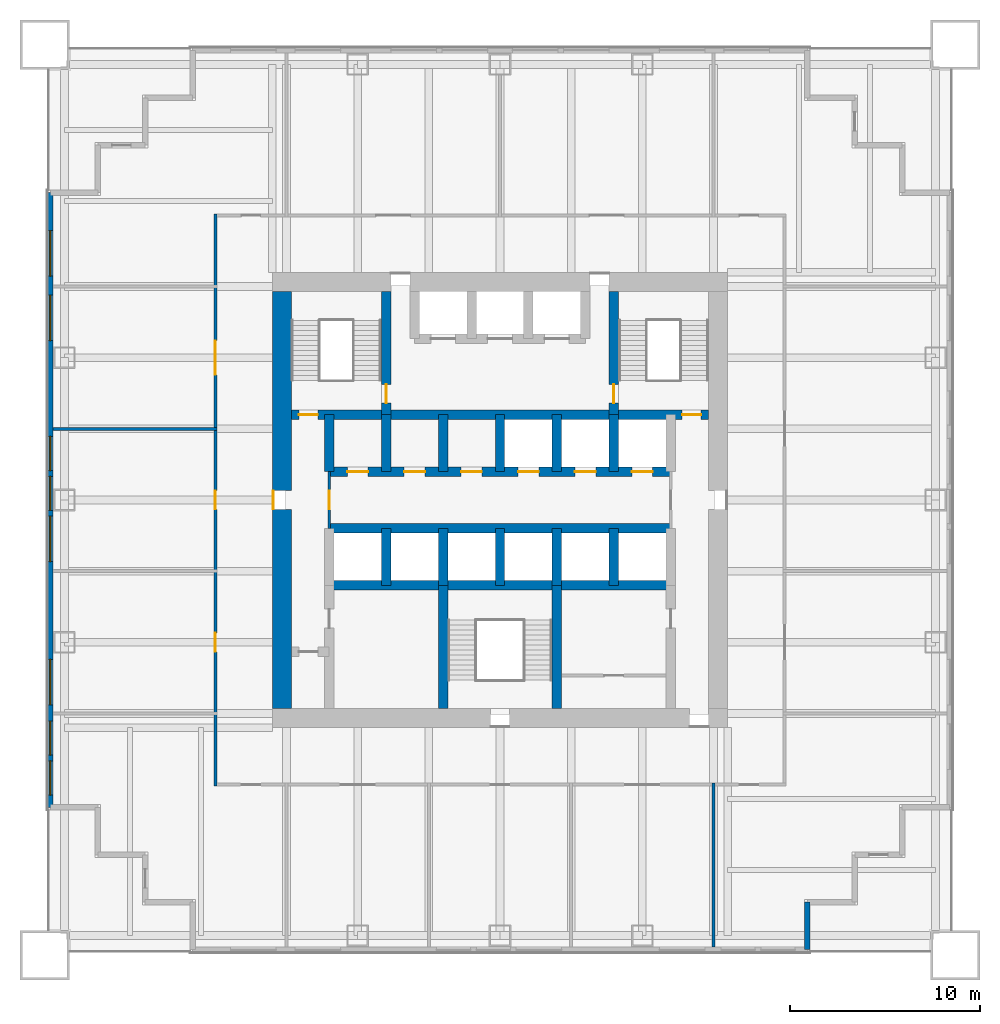
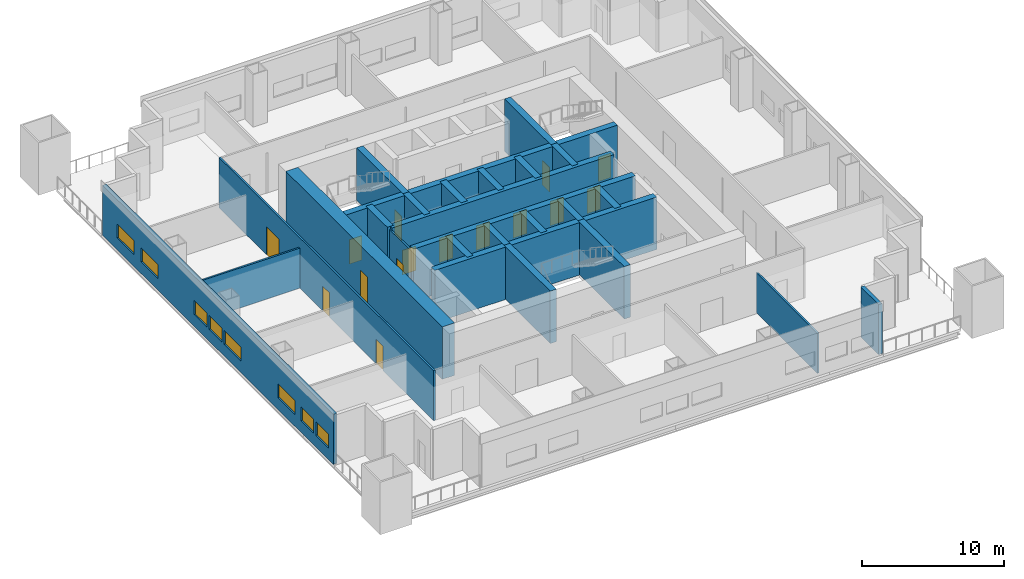
# One storey, part 3 of 7: 26 walls, 15 doors, 8 windows, 23 openings.
"""IFC4 building model written with IfcOpenShell, lengths in metres."""

from ifc_helpers import new_model, si_unit, direction, frame, frame_2d, origin, place, context, subcontext, project, spatial, rectangle, extrude, material, layer, layer_set, type_object, element, fill, save


model = new_model("IFC4")

# Units and contexts
model_context = context("Model", 3, precision=1e-05, world=origin(), true_north=direction((0.0, 1.0)))
body_context = subcontext(model_context, "Body", "Model", "MODEL_VIEW")
ifc_project = project(units=[si_unit("LENGTHUNIT", "METRE"), si_unit("AREAUNIT", "SQUARE_METRE"), si_unit("VOLUMEUNIT", "CUBIC_METRE"), si_unit("PLANEANGLEUNIT", "RADIAN"), si_unit("MASSUNIT", "GRAM", prefix="KILO")], contexts=[model_context])

# Site, building, storey
site_placement = place(None, origin())
site = spatial("IfcSite", under=ifc_project, at=site_placement, CompositionType="ELEMENT")
building_placement = place(site_placement, origin())
building = spatial("IfcBuilding", under=site, at=building_placement, Name="Tarangal Relay Tower", CompositionType="ELEMENT")
storey_placement = place(building_placement, frame((0.0, 0.0, 158.39990234375)))
storey = spatial("IfcBuildingStorey", under=building, at=storey_placement, Name="L32", CompositionType="ELEMENT", Elevation=158.39990234375)

# Wall, openings, doors
ifc_material_1 = material(Name="Concrete fc' 60 MPa", Category="concrete")
ifc_layer_1 = layer(ifc_material_1, 0.5)
ifc_layer_set_1 = layer_set([ifc_layer_1], Name="Core inner wall 500")
wall_type_1 = type_object("IfcWallType", Name="Core inner wall 500", PredefinedType="SHEAR", material=ifc_layer_set_1)
wall_1_placement = place(storey_placement, frame((-11.0, 4.5, 0.0), z_axis=(0.0, 0.0, 1.0), x_axis=(1.0, 0.0, 0.0)))
wall_1 = element("IfcWall", 1, at=wall_1_placement, inside=storey, type_object=wall_type_1, Name="Core wall Y45 L32", PredefinedType="SHEAR", context=body_context, shape_type="SweptSolid", body=[
    extrude(rectangle(XDim=22.0, YDim=0.5, at=frame_2d((11.0, 0.0))), origin(), (0.0, 0.0, 1.0), 4.5),
])
opening_1_placement = place(wall_1_placement, frame((0.39990234375, 0.0, 0.0)))
opening_1 = element("IfcOpeningElement", 2, at=opening_1_placement, cuts=wall_1, Name="Opening FD1", PredefinedType="OPENING", context=body_context, shape_type="SweptSolid", body=[
    extrude(rectangle(XDim=1.0, YDim=2.10009765625, at=frame_2d((0.5, 1.050048828125))), frame((0.0, 0.260009765625, 0.0), z_axis=(0.0, -1.0, 0.0), x_axis=(1.0, 0.0, 0.0)), (0.0, 0.0, 1.0), 0.52001953125),
])
opening_2_placement = place(wall_1_placement, frame((20.60009765625, 0.0, 0.0)))
opening_2 = element("IfcOpeningElement", 3, at=opening_2_placement, cuts=wall_1, Name="Opening FD1", PredefinedType="OPENING", context=body_context, shape_type="SweptSolid", body=[
    extrude(rectangle(XDim=1.0, YDim=2.10009765625, at=frame_2d((0.5, 1.050048828125))), frame((0.0, 0.260009765625, 0.0), z_axis=(0.0, -1.0, 0.0), x_axis=(1.0, 0.0, 0.0)), (0.0, 0.0, 1.0), 0.52001953125),
])
ifc_material_2 = material(Name="Steel door with hardwood frame", Category="steel")
door_type_1 = type_object("IfcDoorType", Name="Fire door 1000 x 2100", OperationType="SINGLE_SWING_LEFT", PredefinedType="DOOR", material=ifc_material_2)
door_1_placement = place(opening_1_placement, origin())
door_1 = element("IfcDoor", 4, at=door_1_placement, inside=storey, type_object=door_type_1, Name="Stair ST-A door from corridor L32", OperationType="SINGLE_SWING_LEFT", OverallHeight=2.10009765625, OverallWidth=1.0, PredefinedType="DOOR", context=body_context, shape_type="SweptSolid", body=[
    extrude(rectangle(XDim=1.0, YDim=2.10009765625, at=frame_2d((0.5, 1.050048828125))), frame((0.0, 0.02490234375, 0.0), z_axis=(0.0, -1.0, 0.0), x_axis=(1.0, 0.0, 0.0)), (0.0, 0.0, 1.0), 0.050048828125),
])
fill(opening_1, door_1)
door_2_placement = place(opening_2_placement, origin())
door_2 = element("IfcDoor", 5, at=door_2_placement, inside=storey, type_object=door_type_1, Name="Stair ST-B door from corridor L32", OperationType="SINGLE_SWING_LEFT", OverallHeight=2.10009765625, OverallWidth=1.0, PredefinedType="DOOR", context=body_context, shape_type="SweptSolid", body=[
    extrude(rectangle(XDim=1.0, YDim=2.10009765625, at=frame_2d((0.5, 1.050048828125))), frame((0.0, 0.02490234375, 0.0), z_axis=(0.0, -1.0, 0.0), x_axis=(1.0, 0.0, 0.0)), (0.0, 0.0, 1.0), 0.050048828125),
])
fill(opening_2, door_2)

wall_2_placement = place(storey_placement, frame((-9.0, 1.5, 0.0), z_axis=(0.0, 0.0, 1.0), x_axis=(1.0, 0.0, 0.0)))
wall_2 = element("IfcWall", 6, at=wall_2_placement, inside=storey, type_object=wall_type_1, Name="Core wall Y15 L32", PredefinedType="SHEAR", context=body_context, shape_type="SweptSolid", body=[
    extrude(rectangle(XDim=18.0, YDim=0.5, at=frame_2d((9.0, 0.0))), origin(), (0.0, 0.0, 1.0), 4.5),
])
opening_3_placement = place(wall_2_placement, frame((9.949951171875, 0.0, 0.0)))
opening_3 = element("IfcOpeningElement", 7, at=opening_3_placement, cuts=wall_2, Name="Opening LD1", PredefinedType="OPENING", context=body_context, shape_type="SweptSolid", body=[
    extrude(rectangle(XDim=1.10009765625, YDim=2.10009765625, at=frame_2d((0.550048828125, 1.050048828125))), frame((0.0, 0.260009765625, 0.0), z_axis=(0.0, -1.0, 0.0), x_axis=(1.0, 0.0, 0.0)), (0.0, 0.0, 1.0), 0.52001953125),
])
opening_4_placement = place(wall_2_placement, frame((12.949951171875, 0.0, 0.0)))
opening_4 = element("IfcOpeningElement", 8, at=opening_4_placement, cuts=wall_2, Name="Opening LD1", PredefinedType="OPENING", context=body_context, shape_type="SweptSolid", body=[
    extrude(rectangle(XDim=1.10009765625, YDim=2.10009765625, at=frame_2d((0.550048828125, 1.050048828125))), frame((0.0, 0.260009765625, 0.0), z_axis=(0.0, -1.0, 0.0), x_axis=(1.0, 0.0, 0.0)), (0.0, 0.0, 1.0), 0.52001953125),
])
opening_5_placement = place(wall_2_placement, frame((15.949951171875, 0.0, 0.0)))
opening_5 = element("IfcOpeningElement", 9, at=opening_5_placement, cuts=wall_2, Name="Opening LD1", PredefinedType="OPENING", context=body_context, shape_type="SweptSolid", body=[
    extrude(rectangle(XDim=1.10009765625, YDim=2.10009765625, at=frame_2d((0.550048828125, 1.050048828125))), frame((0.0, 0.260009765625, 0.0), z_axis=(0.0, -1.0, 0.0), x_axis=(1.0, 0.0, 0.0)), (0.0, 0.0, 1.0), 0.52001953125),
])
opening_6_placement = place(wall_2_placement, frame((0.949951171875, 0.0, 0.0)))
opening_6 = element("IfcOpeningElement", 10, at=opening_6_placement, cuts=wall_2, Name="Opening D4", PredefinedType="OPENING", context=body_context, shape_type="SweptSolid", body=[
    extrude(rectangle(XDim=1.10009765625, YDim=2.10009765625, at=frame_2d((0.550048828125, 1.050048828125))), frame((0.0, 0.260009765625, 0.0), z_axis=(0.0, -1.0, 0.0), x_axis=(1.0, 0.0, 0.0)), (0.0, 0.0, 1.0), 0.52001953125),
])
opening_7_placement = place(wall_2_placement, frame((3.949951171875, 0.0, 0.0)))
opening_7 = element("IfcOpeningElement", 11, at=opening_7_placement, cuts=wall_2, Name="Opening D4", PredefinedType="OPENING", context=body_context, shape_type="SweptSolid", body=[
    extrude(rectangle(XDim=1.10009765625, YDim=2.10009765625, at=frame_2d((0.550048828125, 1.050048828125))), frame((0.0, 0.260009765625, 0.0), z_axis=(0.0, -1.0, 0.0), x_axis=(1.0, 0.0, 0.0)), (0.0, 0.0, 1.0), 0.52001953125),
])
opening_8_placement = place(wall_2_placement, frame((6.949951171875, 0.0, 0.0)))
opening_8 = element("IfcOpeningElement", 12, at=opening_8_placement, cuts=wall_2, Name="Opening D4", PredefinedType="OPENING", context=body_context, shape_type="SweptSolid", body=[
    extrude(rectangle(XDim=1.10009765625, YDim=2.10009765625, at=frame_2d((0.550048828125, 1.050048828125))), frame((0.0, 0.260009765625, 0.0), z_axis=(0.0, -1.0, 0.0), x_axis=(1.0, 0.0, 0.0)), (0.0, 0.0, 1.0), 0.52001953125),
])
door_type_2 = type_object("IfcDoorType", Name="Core room door 1100 x 2100", OperationType="SINGLE_SWING_RIGHT", PredefinedType="DOOR", material=ifc_material_2)
door_3_placement = place(opening_6_placement, origin())
door_3 = element("IfcDoor", 13, at=door_3_placement, inside=storey, type_object=door_type_2, Name="Door D4 to back-of-house plant room L32-D1", OperationType="SINGLE_SWING_RIGHT", OverallHeight=2.10009765625, OverallWidth=1.10009765625, PredefinedType="DOOR", context=body_context, shape_type="SweptSolid", body=[
    extrude(rectangle(XDim=1.10009765625, YDim=2.10009765625, at=frame_2d((0.550048828125, 1.050048828125))), frame((0.0, 0.02490234375, 0.0), z_axis=(0.0, -1.0, 0.0), x_axis=(1.0, 0.0, 0.0)), (0.0, 0.0, 1.0), 0.050048828125),
])
fill(opening_6, door_3)
door_4_placement = place(opening_7_placement, origin())
door_4 = element("IfcDoor", 14, at=door_4_placement, inside=storey, type_object=door_type_2, Name="Door D4 to staff pantry L32-D2", OperationType="SINGLE_SWING_RIGHT", OverallHeight=2.10009765625, OverallWidth=1.10009765625, PredefinedType="DOOR", context=body_context, shape_type="SweptSolid", body=[
    extrude(rectangle(XDim=1.10009765625, YDim=2.10009765625, at=frame_2d((0.550048828125, 1.050048828125))), frame((0.0, 0.02490234375, 0.0), z_axis=(0.0, -1.0, 0.0), x_axis=(1.0, 0.0, 0.0)), (0.0, 0.0, 1.0), 0.050048828125),
])
fill(opening_7, door_4)
door_5_placement = place(opening_8_placement, origin())
door_5 = element("IfcDoor", 15, at=door_5_placement, inside=storey, type_object=door_type_2, Name="Door D4 to staff wc L32-D3", OperationType="SINGLE_SWING_RIGHT", OverallHeight=2.10009765625, OverallWidth=1.10009765625, PredefinedType="DOOR", context=body_context, shape_type="SweptSolid", body=[
    extrude(rectangle(XDim=1.10009765625, YDim=2.10009765625, at=frame_2d((0.550048828125, 1.050048828125))), frame((0.0, 0.02490234375, 0.0), z_axis=(0.0, -1.0, 0.0), x_axis=(1.0, 0.0, 0.0)), (0.0, 0.0, 1.0), 0.050048828125),
])
fill(opening_8, door_5)
door_type_3 = type_object("IfcDoorType", Name="Lift landing door 1100 x 2100", OperationType="SLIDING_TO_LEFT", PredefinedType="DOOR", material=ifc_material_2)
door_6_placement = place(opening_3_placement, origin())
door_6 = element("IfcDoor", 16, at=door_6_placement, inside=storey, type_object=door_type_3, Name="Lift T1 landing door L32", OperationType="SLIDING_TO_LEFT", OverallHeight=2.10009765625, OverallWidth=1.10009765625, PredefinedType="DOOR", context=body_context, shape_type="SweptSolid", body=[
    extrude(rectangle(XDim=1.10009765625, YDim=2.10009765625, at=frame_2d((0.550048828125, 1.050048828125))), frame((0.0, 0.02490234375, 0.0), z_axis=(0.0, -1.0, 0.0), x_axis=(1.0, 0.0, 0.0)), (0.0, 0.0, 1.0), 0.050048828125),
])
fill(opening_3, door_6)
door_7_placement = place(opening_4_placement, origin())
door_7 = element("IfcDoor", 17, at=door_7_placement, inside=storey, type_object=door_type_3, Name="Lift T2 landing door L32", OperationType="SLIDING_TO_LEFT", OverallHeight=2.10009765625, OverallWidth=1.10009765625, PredefinedType="DOOR", context=body_context, shape_type="SweptSolid", body=[
    extrude(rectangle(XDim=1.10009765625, YDim=2.10009765625, at=frame_2d((0.550048828125, 1.050048828125))), frame((0.0, 0.02490234375, 0.0), z_axis=(0.0, -1.0, 0.0), x_axis=(1.0, 0.0, 0.0)), (0.0, 0.0, 1.0), 0.050048828125),
])
fill(opening_4, door_7)
door_8_placement = place(opening_5_placement, origin())
door_8 = element("IfcDoor", 18, at=door_8_placement, inside=storey, type_object=door_type_3, Name="Lift T3 landing door L32", OperationType="SLIDING_TO_LEFT", OverallHeight=2.10009765625, OverallWidth=1.10009765625, PredefinedType="DOOR", context=body_context, shape_type="SweptSolid", body=[
    extrude(rectangle(XDim=1.10009765625, YDim=2.10009765625, at=frame_2d((0.550048828125, 1.050048828125))), frame((0.0, 0.02490234375, 0.0), z_axis=(0.0, -1.0, 0.0), x_axis=(1.0, 0.0, 0.0)), (0.0, 0.0, 1.0), 0.050048828125),
])
fill(opening_5, door_8)

# Walls
for number, where, z_axis, x_axis, name in (
    (19, (-9.0, -1.5, 0.0), (0.0, 0.0, 1.0), (1.0, 0.0, 0.0), "Core wall YM15 L32"),
    (20, (-9.0, -4.5, 0.0), (0.0, 0.0, 1.0), (1.0, 0.0, 0.0), "Core wall YM45 L32"),
):
    element("IfcWall", number, at=place(storey_placement, frame(where, z_axis=z_axis, x_axis=x_axis)), inside=storey, type_object=wall_type_1, Name=name, PredefinedType="SHEAR", context=body_context, shape_type="SweptSolid", body=[
        extrude(rectangle(XDim=18.0, YDim=0.5, at=frame_2d((9.0, 0.0))), origin(), (0.0, 0.0, 1.0), 4.5),
    ])
for number, where, z_axis, x_axis, name in (
    (21, (-9.0, 1.5, 0.0), (0.0, 0.0, 1.0), (0.0, 1.0, 0.0), "Core wall XM9N L32"),
    (22, (-6.0, 1.5, 0.0), (0.0, 0.0, 1.0), (0.0, 1.0, 0.0), "Core wall XM6N L32"),
    (23, (-3.0, 1.5, 0.0), (0.0, 0.0, 1.0), (0.0, 1.0, 0.0), "Core wall XM3N L32"),
    (24, (0.0, 1.5, 0.0), (0.0, 0.0, 1.0), (0.0, 1.0, 0.0), "Core wall X0N L32"),
    (25, (3.0, 1.5, 0.0), (0.0, 0.0, 1.0), (0.0, 1.0, 0.0), "Core wall X3N L32"),
    (26, (6.0, 1.5, 0.0), (0.0, 0.0, 1.0), (0.0, 1.0, 0.0), "Core wall X6N L32"),
    (27, (-6.0, -4.5, 0.0), (0.0, 0.0, 1.0), (0.0, 1.0, 0.0), "Core wall XM6S L32"),
    (28, (-3.0, -4.5, 0.0), (0.0, 0.0, 1.0), (0.0, 1.0, 0.0), "Core wall XM3S L32"),
    (29, (0.0, -4.5, 0.0), (0.0, 0.0, 1.0), (0.0, 1.0, 0.0), "Core wall X0S L32"),
    (30, (3.0, -4.5, 0.0), (0.0, 0.0, 1.0), (0.0, 1.0, 0.0), "Core wall X3S L32"),
    (31, (6.0, -4.5, 0.0), (0.0, 0.0, 1.0), (0.0, 1.0, 0.0), "Core wall X6S L32"),
):
    element("IfcWall", number, at=place(storey_placement, frame(where, z_axis=z_axis, x_axis=x_axis)), inside=storey, type_object=wall_type_1, Name=name, PredefinedType="SHEAR", context=body_context, shape_type="SweptSolid", body=[
        extrude(rectangle(XDim=3.0, YDim=0.5, at=frame_2d((1.5, 0.0))), origin(), (0.0, 0.0, 1.0), 4.5),
    ])

# Wall, opening, door
wall_3_placement = place(storey_placement, frame((-6.0, 4.5, 0.0), z_axis=(0.0, 0.0, 1.0), x_axis=(0.0, 1.0, 0.0)))
wall_3 = element("IfcWall", 32, at=wall_3_placement, inside=storey, type_object=wall_type_1, Name="Core wall XM6 L32", PredefinedType="SHEAR", context=body_context, shape_type="SweptSolid", body=[
    extrude(rectangle(XDim=6.5, YDim=0.5, at=frame_2d((3.25, 0.0))), origin(), (0.0, 0.0, 1.0), 4.5),
])
opening_9_placement = place(wall_3_placement, frame((0.60009765625, 0.0, 0.0)))
opening_9 = element("IfcOpeningElement", 33, at=opening_9_placement, cuts=wall_3, Name="Opening FD1", PredefinedType="OPENING", context=body_context, shape_type="SweptSolid", body=[
    extrude(rectangle(XDim=1.0, YDim=2.10009765625, at=frame_2d((0.5, 1.050048828125))), frame((0.0, 0.260009765625, 0.0), z_axis=(0.0, -1.0, 0.0), x_axis=(1.0, 0.0, 0.0)), (0.0, 0.0, 1.0), 0.52001953125),
])
door_9_placement = place(opening_9_placement, origin())
door_9 = element("IfcDoor", 34, at=door_9_placement, inside=storey, type_object=door_type_1, Name="Stair ST-A door from fire-fighting lobby L32", OperationType="SINGLE_SWING_LEFT", OverallHeight=2.10009765625, OverallWidth=1.0, PredefinedType="DOOR", context=body_context, shape_type="SweptSolid", body=[
    extrude(rectangle(XDim=1.0, YDim=2.10009765625, at=frame_2d((0.5, 1.050048828125))), frame((0.0, 0.02490234375, 0.0), z_axis=(0.0, -1.0, 0.0), x_axis=(1.0, 0.0, 0.0)), (0.0, 0.0, 1.0), 0.050048828125),
])
fill(opening_9, door_9)

wall_4_placement = place(storey_placement, frame((6.0, 4.5, 0.0), z_axis=(0.0, 0.0, 1.0), x_axis=(0.0, 1.0, 0.0)))
wall_4 = element("IfcWall", 35, at=wall_4_placement, inside=storey, type_object=wall_type_1, Name="Core wall X6 L32", PredefinedType="SHEAR", context=body_context, shape_type="SweptSolid", body=[
    extrude(rectangle(XDim=6.5, YDim=0.5, at=frame_2d((3.25, 0.0))), origin(), (0.0, 0.0, 1.0), 4.5),
])
opening_10_placement = place(wall_4_placement, frame((0.60009765625, 0.0, 0.0)))
opening_10 = element("IfcOpeningElement", 36, at=opening_10_placement, cuts=wall_4, Name="Opening FD1", PredefinedType="OPENING", context=body_context, shape_type="SweptSolid", body=[
    extrude(rectangle(XDim=1.0, YDim=2.10009765625, at=frame_2d((0.5, 1.050048828125))), frame((0.0, 0.260009765625, 0.0), z_axis=(0.0, -1.0, 0.0), x_axis=(1.0, 0.0, 0.0)), (0.0, 0.0, 1.0), 0.52001953125),
])
door_10_placement = place(opening_10_placement, origin())
door_10 = element("IfcDoor", 37, at=door_10_placement, inside=storey, type_object=door_type_1, Name="Stair ST-B door from fire-fighting lobby L32", OperationType="SINGLE_SWING_LEFT", OverallHeight=2.10009765625, OverallWidth=1.0, PredefinedType="DOOR", context=body_context, shape_type="SweptSolid", body=[
    extrude(rectangle(XDim=1.0, YDim=2.10009765625, at=frame_2d((0.5, 1.050048828125))), frame((0.0, 0.02490234375, 0.0), z_axis=(0.0, -1.0, 0.0), x_axis=(1.0, 0.0, 0.0)), (0.0, 0.0, 1.0), 0.050048828125),
])
fill(opening_10, door_10)

# Walls
for number, where, z_axis, x_axis, name in (
    (38, (-3.0, -11.0, 0.0), (0.0, 0.0, 1.0), (0.0, 1.0, 0.0), "Core wall XM3W L32"),
    (39, (3.0, -11.0, 0.0), (0.0, 0.0, 1.0), (0.0, 1.0, 0.0), "Core wall X3W L32"),
):
    element("IfcWall", number, at=place(storey_placement, frame(where, z_axis=z_axis, x_axis=x_axis)), inside=storey, type_object=wall_type_1, Name=name, PredefinedType="SHEAR", context=body_context, shape_type="SweptSolid", body=[
        extrude(rectangle(XDim=6.5, YDim=0.5, at=frame_2d((3.25, 0.0))), origin(), (0.0, 0.0, 1.0), 4.5),
    ])

# Wall, opening, door
ifc_layer_2 = layer(ifc_material_1, 1.0)
ifc_layer_set_2 = layer_set([ifc_layer_2], Name="Core wall 1000")
wall_type_2 = type_object("IfcWallType", Name="Core wall 1000", PredefinedType="SHEAR", material=ifc_layer_set_2)
wall_5_placement = place(storey_placement, frame((-11.5, -11.0, 0.0), z_axis=(0.0, 0.0, 1.0), x_axis=(0.0, 1.0, 0.0)))
wall_5 = element("IfcWall", 40, at=wall_5_placement, inside=storey, type_object=wall_type_2, Name="Core wall W L32", PredefinedType="SHEAR", context=body_context, shape_type="SweptSolid", body=[
    extrude(rectangle(XDim=22.0, YDim=1.0, at=frame_2d((11.0, 0.0))), origin(), (0.0, 0.0, 1.0), 4.5),
])
opening_11_placement = place(wall_5_placement, frame((10.5, 0.0, 0.0)))
opening_11 = element("IfcOpeningElement", 41, at=opening_11_placement, cuts=wall_5, Name="Opening FD3", PredefinedType="OPENING", context=body_context, shape_type="SweptSolid", body=[
    extrude(rectangle(XDim=1.0, YDim=2.39990234375, at=frame_2d((0.5, 1.199951171875))), frame((0.0, 0.510009765625, 0.0), z_axis=(0.0, -1.0, 0.0), x_axis=(1.0, 0.0, 0.0)), (0.0, 0.0, 1.0), 1.02001953125),
])
door_type_4 = type_object("IfcDoorType", Name="Fire door 1000 x 2400 core entry", OperationType="SINGLE_SWING_RIGHT", PredefinedType="DOOR", material=ifc_material_2)
door_11_placement = place(opening_11_placement, origin())
door_11 = element("IfcDoor", 42, at=door_11_placement, inside=storey, type_object=door_type_4, Name="Core entry door west L32", OperationType="SINGLE_SWING_RIGHT", OverallHeight=2.39990234375, OverallWidth=1.0, PredefinedType="DOOR", context=body_context, shape_type="SweptSolid", body=[
    extrude(rectangle(XDim=1.0, YDim=2.39990234375, at=frame_2d((0.5, 1.199951171875))), frame((0.0, 0.48486328125, 0.0), z_axis=(0.0, -1.0, 0.0), x_axis=(1.0, 0.0, 0.0)), (0.0, 0.0, 1.0), 0.050048828125),
])
fill(opening_11, door_11)

# Wall
ifc_material_3 = material(Name="Insulated precast concrete fc' 40 MPa", Category="concrete")
ifc_layer_3 = layer(ifc_material_3, 0.300048828125)
ifc_layer_set_3 = layer_set([ifc_layer_3], Name="Insulated precast concrete fc' 40 MPa")
wall_type_3 = type_object("IfcWallType", Name="Facade wall precast 300", PredefinedType="SOLIDWALL", material=ifc_layer_set_3)
wall_6_placement = place(storey_placement, frame((16.199951171875, -21.199951171875, 0.0), z_axis=(0.0, 0.0, 1.0), x_axis=(0.0, -1.0, 0.0)))
element("IfcWall", 43, at=wall_6_placement, inside=storey, type_object=wall_type_3, Name="Facade wall E facade L32", PredefinedType="SOLIDWALL", context=body_context, shape_type="SweptSolid", body=[
    extrude(rectangle(XDim=2.5, YDim=0.300048828125, at=frame_2d((1.25, 0.0))), origin(), (0.0, 0.0, 1.0), 4.300048828125),
])

# Wall, openings, windows
wall_7_placement = place(storey_placement, frame((-23.699951171875, -16.199951171875, 0.0), z_axis=(0.0, 0.0, 1.0), x_axis=(0.0, 1.0, 0.0)))
wall_7 = element("IfcWall", 44, at=wall_7_placement, inside=storey, type_object=wall_type_3, Name="Facade wall W facade L32", PredefinedType="SOLIDWALL", context=body_context, shape_type="SweptSolid", body=[
    extrude(rectangle(XDim=32.39990234375, YDim=0.300048828125, at=frame_2d((16.199951171875, 0.0))), origin(), (0.0, 0.0, 1.0), 4.300048828125),
])
opening_12_placement = place(wall_7_placement, frame((0.64990234375, 0.0, 1.0)))
opening_12 = element("IfcOpeningElement", 45, at=opening_12_placement, cuts=wall_7, Name="Opening WN5", PredefinedType="OPENING", context=body_context, shape_type="SweptSolid", body=[
    extrude(rectangle(XDim=1.800048828125, YDim=1.199951171875, at=frame_2d((0.89990234375, 0.60009765625))), frame((0.0, 0.159912109375, 0.0), z_axis=(0.0, -1.0, 0.0), x_axis=(1.0, 0.0, 0.0)), (0.0, 0.0, 1.0), 0.320068359375),
])
opening_13_placement = place(wall_7_placement, frame((2.75, 0.0, 1.0)))
opening_13 = element("IfcOpeningElement", 46, at=opening_13_placement, cuts=wall_7, Name="Opening WN5", PredefinedType="OPENING", context=body_context, shape_type="SweptSolid", body=[
    extrude(rectangle(XDim=1.800048828125, YDim=1.199951171875, at=frame_2d((0.89990234375, 0.60009765625))), frame((0.0, 0.159912109375, 0.0), z_axis=(0.0, -1.0, 0.0), x_axis=(1.0, 0.0, 0.0)), (0.0, 0.0, 1.0), 0.320068359375),
])
opening_14_placement = place(wall_7_placement, frame((5.39990234375, 0.0, 1.0)))
opening_14 = element("IfcOpeningElement", 47, at=opening_14_placement, cuts=wall_7, Name="Opening WN1", PredefinedType="OPENING", context=body_context, shape_type="SweptSolid", body=[
    extrude(rectangle(XDim=2.39990234375, YDim=1.199951171875, at=frame_2d((1.199951171875, 0.60009765625))), frame((0.0, 0.159912109375, 0.0), z_axis=(0.0, -1.0, 0.0), x_axis=(1.0, 0.0, 0.0)), (0.0, 0.0, 1.0), 0.320068359375),
])
opening_15_placement = place(wall_7_placement, frame((12.949951171875, 0.0, 1.0)))
opening_15 = element("IfcOpeningElement", 48, at=opening_15_placement, cuts=wall_7, Name="Opening WN1", PredefinedType="OPENING", context=body_context, shape_type="SweptSolid", body=[
    extrude(rectangle(XDim=2.39990234375, YDim=1.199951171875, at=frame_2d((1.199951171875, 0.60009765625))), frame((0.0, 0.159912109375, 0.0), z_axis=(0.0, -1.0, 0.0), x_axis=(1.0, 0.0, 0.0)), (0.0, 0.0, 1.0), 0.320068359375),
])
opening_16_placement = place(wall_7_placement, frame((15.64990234375, 0.0, 1.0)))
opening_16 = element("IfcOpeningElement", 49, at=opening_16_placement, cuts=wall_7, Name="Opening WN5", PredefinedType="OPENING", context=body_context, shape_type="SweptSolid", body=[
    extrude(rectangle(XDim=1.800048828125, YDim=1.199951171875, at=frame_2d((0.89990234375, 0.60009765625))), frame((0.0, 0.159912109375, 0.0), z_axis=(0.0, -1.0, 0.0), x_axis=(1.0, 0.0, 0.0)), (0.0, 0.0, 1.0), 0.320068359375),
])
opening_17_placement = place(wall_7_placement, frame((17.75, 0.0, 1.0)))
opening_17 = element("IfcOpeningElement", 50, at=opening_17_placement, cuts=wall_7, Name="Opening WN5", PredefinedType="OPENING", context=body_context, shape_type="SweptSolid", body=[
    extrude(rectangle(XDim=1.800048828125, YDim=1.199951171875, at=frame_2d((0.89990234375, 0.60009765625))), frame((0.0, 0.159912109375, 0.0), z_axis=(0.0, -1.0, 0.0), x_axis=(1.0, 0.0, 0.0)), (0.0, 0.0, 1.0), 0.320068359375),
])
opening_18_placement = place(wall_7_placement, frame((24.60009765625, 0.0, 1.0)))
opening_18 = element("IfcOpeningElement", 51, at=opening_18_placement, cuts=wall_7, Name="Opening WN1", PredefinedType="OPENING", context=body_context, shape_type="SweptSolid", body=[
    extrude(rectangle(XDim=2.39990234375, YDim=1.199951171875, at=frame_2d((1.199951171875, 0.60009765625))), frame((0.0, 0.159912109375, 0.0), z_axis=(0.0, -1.0, 0.0), x_axis=(1.0, 0.0, 0.0)), (0.0, 0.0, 1.0), 0.320068359375),
])
opening_19_placement = place(wall_7_placement, frame((28.0, 0.0, 1.0)))
opening_19 = element("IfcOpeningElement", 52, at=opening_19_placement, cuts=wall_7, Name="Opening WN1", PredefinedType="OPENING", context=body_context, shape_type="SweptSolid", body=[
    extrude(rectangle(XDim=2.39990234375, YDim=1.199951171875, at=frame_2d((1.199951171875, 0.60009765625))), frame((0.0, 0.159912109375, 0.0), z_axis=(0.0, -1.0, 0.0), x_axis=(1.0, 0.0, 0.0)), (0.0, 0.0, 1.0), 0.320068359375),
])
ifc_material_4 = material(Name="Dark tinted double glazing in black aluminium frame", Category="aluminium")
window_type_1 = type_object("IfcWindowType", Name="Ribbon window 1800 x 1200", PartitioningType="SINGLE_PANEL", PredefinedType="WINDOW", material=ifc_material_4)
window_1_placement = place(opening_12_placement, origin())
window_1 = element("IfcWindow", 53, at=window_1_placement, inside=storey, type_object=window_type_1, Name="Ribbon window WN5 W facade L32", OverallHeight=1.199951171875, OverallWidth=1.800048828125, PartitioningType="SINGLE_PANEL", PredefinedType="WINDOW", context=body_context, shape_type="SweptSolid", body=[
    extrude(rectangle(XDim=1.800048828125, YDim=1.199951171875, at=frame_2d((0.89990234375, 0.60009765625))), frame((0.0, 0.030029296875, 0.0), z_axis=(0.0, -1.0, 0.0), x_axis=(1.0, 0.0, 0.0)), (0.0, 0.0, 1.0), 0.06005859375),
])
fill(opening_12, window_1)
window_2_placement = place(opening_13_placement, origin())
window_2 = element("IfcWindow", 54, at=window_2_placement, inside=storey, type_object=window_type_1, Name="Ribbon window WN5 W facade L32", OverallHeight=1.199951171875, OverallWidth=1.800048828125, PartitioningType="SINGLE_PANEL", PredefinedType="WINDOW", context=body_context, shape_type="SweptSolid", body=[
    extrude(rectangle(XDim=1.800048828125, YDim=1.199951171875, at=frame_2d((0.89990234375, 0.60009765625))), frame((0.0, 0.030029296875, 0.0), z_axis=(0.0, -1.0, 0.0), x_axis=(1.0, 0.0, 0.0)), (0.0, 0.0, 1.0), 0.06005859375),
])
fill(opening_13, window_2)
window_3_placement = place(opening_16_placement, origin())
window_3 = element("IfcWindow", 55, at=window_3_placement, inside=storey, type_object=window_type_1, Name="Ribbon window WN5 W facade L32", OverallHeight=1.199951171875, OverallWidth=1.800048828125, PartitioningType="SINGLE_PANEL", PredefinedType="WINDOW", context=body_context, shape_type="SweptSolid", body=[
    extrude(rectangle(XDim=1.800048828125, YDim=1.199951171875, at=frame_2d((0.89990234375, 0.60009765625))), frame((0.0, 0.030029296875, 0.0), z_axis=(0.0, -1.0, 0.0), x_axis=(1.0, 0.0, 0.0)), (0.0, 0.0, 1.0), 0.06005859375),
])
fill(opening_16, window_3)
window_4_placement = place(opening_17_placement, origin())
window_4 = element("IfcWindow", 56, at=window_4_placement, inside=storey, type_object=window_type_1, Name="Ribbon window WN5 W facade L32", OverallHeight=1.199951171875, OverallWidth=1.800048828125, PartitioningType="SINGLE_PANEL", PredefinedType="WINDOW", context=body_context, shape_type="SweptSolid", body=[
    extrude(rectangle(XDim=1.800048828125, YDim=1.199951171875, at=frame_2d((0.89990234375, 0.60009765625))), frame((0.0, 0.030029296875, 0.0), z_axis=(0.0, -1.0, 0.0), x_axis=(1.0, 0.0, 0.0)), (0.0, 0.0, 1.0), 0.06005859375),
])
fill(opening_17, window_4)
window_type_2 = type_object("IfcWindowType", Name="Ribbon window 2400 x 1200", PartitioningType="SINGLE_PANEL", PredefinedType="WINDOW", material=ifc_material_4)
window_5_placement = place(opening_14_placement, origin())
window_5 = element("IfcWindow", 57, at=window_5_placement, inside=storey, type_object=window_type_2, Name="Ribbon window WN1 W facade L32", OverallHeight=1.199951171875, OverallWidth=2.39990234375, PartitioningType="SINGLE_PANEL", PredefinedType="WINDOW", context=body_context, shape_type="SweptSolid", body=[
    extrude(rectangle(XDim=2.39990234375, YDim=1.199951171875, at=frame_2d((1.199951171875, 0.60009765625))), frame((0.0, 0.030029296875, 0.0), z_axis=(0.0, -1.0, 0.0), x_axis=(1.0, 0.0, 0.0)), (0.0, 0.0, 1.0), 0.06005859375),
])
fill(opening_14, window_5)
window_6_placement = place(opening_15_placement, origin())
window_6 = element("IfcWindow", 58, at=window_6_placement, inside=storey, type_object=window_type_2, Name="Ribbon window WN1 W facade L32", OverallHeight=1.199951171875, OverallWidth=2.39990234375, PartitioningType="SINGLE_PANEL", PredefinedType="WINDOW", context=body_context, shape_type="SweptSolid", body=[
    extrude(rectangle(XDim=2.39990234375, YDim=1.199951171875, at=frame_2d((1.199951171875, 0.60009765625))), frame((0.0, 0.030029296875, 0.0), z_axis=(0.0, -1.0, 0.0), x_axis=(1.0, 0.0, 0.0)), (0.0, 0.0, 1.0), 0.06005859375),
])
fill(opening_15, window_6)
window_7_placement = place(opening_18_placement, origin())
window_7 = element("IfcWindow", 59, at=window_7_placement, inside=storey, type_object=window_type_2, Name="Ribbon window WN1 W facade L32", OverallHeight=1.199951171875, OverallWidth=2.39990234375, PartitioningType="SINGLE_PANEL", PredefinedType="WINDOW", context=body_context, shape_type="SweptSolid", body=[
    extrude(rectangle(XDim=2.39990234375, YDim=1.199951171875, at=frame_2d((1.199951171875, 0.60009765625))), frame((0.0, 0.030029296875, 0.0), z_axis=(0.0, -1.0, 0.0), x_axis=(1.0, 0.0, 0.0)), (0.0, 0.0, 1.0), 0.06005859375),
])
fill(opening_18, window_7)
window_8_placement = place(opening_19_placement, origin())
window_8 = element("IfcWindow", 60, at=window_8_placement, inside=storey, type_object=window_type_2, Name="Ribbon window WN1 W facade L32", OverallHeight=1.199951171875, OverallWidth=2.39990234375, PartitioningType="SINGLE_PANEL", PredefinedType="WINDOW", context=body_context, shape_type="SweptSolid", body=[
    extrude(rectangle(XDim=2.39990234375, YDim=1.199951171875, at=frame_2d((1.199951171875, 0.60009765625))), frame((0.0, 0.030029296875, 0.0), z_axis=(0.0, -1.0, 0.0), x_axis=(1.0, 0.0, 0.0)), (0.0, 0.0, 1.0), 0.06005859375),
])
fill(opening_19, window_8)

# Wall
ifc_material_5 = material(Name="Gypsum board on steel studs", Category="steel")
ifc_layer_4 = layer(ifc_material_5, 0.14990234375)
ifc_layer_set_4 = layer_set([ifc_layer_4], Name="Partition 150")
wall_type_4 = type_object("IfcWallType", Name="Partition 150", PredefinedType="PARTITIONING", material=ifc_layer_set_4)
wall_8_placement = place(storey_placement, frame((-23.550048828125, 3.75, 0.0), z_axis=(0.0, 0.0, 1.0), x_axis=(1.0, 0.0, 0.0)))
element("IfcWall", 61, at=wall_8_placement, inside=storey, type_object=wall_type_4, Name="Partition PT1 L32", PredefinedType="PARTITIONING", context=body_context, shape_type="SweptSolid", body=[
    extrude(rectangle(XDim=8.625, YDim=0.14990234375, at=frame_2d((4.3125, 0.0))), origin(), (0.0, 0.0, 1.0), 3.431396484375),
])

# Wall, openings, doors
wall_9_placement = place(storey_placement, frame((-15.0, -15.074951171875, 0.0), z_axis=(0.0, 0.0, 1.0), x_axis=(0.0, 1.0, 0.0)))
wall_9 = element("IfcWall", 62, at=wall_9_placement, inside=storey, type_object=wall_type_4, Name="Partition PT1 L32", PredefinedType="PARTITIONING", context=body_context, shape_type="SweptSolid", body=[
    extrude(rectangle(XDim=30.14990234375, YDim=0.14990234375, at=frame_2d((15.074951171875, 0.0))), origin(), (0.0, 0.0, 1.0), 4.300048828125),
])
opening_20_placement = place(wall_9_placement, frame((7.074951171875, 0.0, 0.0)))
opening_20 = element("IfcOpeningElement", 63, at=opening_20_placement, cuts=wall_9, Name="Opening D2", PredefinedType="OPENING", context=body_context, shape_type="SweptSolid", body=[
    extrude(rectangle(XDim=1.0, YDim=2.10009765625, at=frame_2d((0.5, 1.050048828125))), frame((0.0, 0.0849609375, 0.0), z_axis=(0.0, -1.0, 0.0), x_axis=(1.0, 0.0, 0.0)), (0.0, 0.0, 1.0), 0.169921875),
])
opening_21_placement = place(wall_9_placement, frame((14.574951171875, 0.0, 0.0)))
opening_21 = element("IfcOpeningElement", 64, at=opening_21_placement, cuts=wall_9, Name="Opening D2", PredefinedType="OPENING", context=body_context, shape_type="SweptSolid", body=[
    extrude(rectangle(XDim=1.0, YDim=2.10009765625, at=frame_2d((0.5, 1.050048828125))), frame((0.0, 0.0849609375, 0.0), z_axis=(0.0, -1.0, 0.0), x_axis=(1.0, 0.0, 0.0)), (0.0, 0.0, 1.0), 0.169921875),
])
opening_22_placement = place(wall_9_placement, frame((21.675048828125, 0.0, 0.0)))
opening_22 = element("IfcOpeningElement", 65, at=opening_22_placement, cuts=wall_9, Name="Opening DD1", PredefinedType="OPENING", context=body_context, shape_type="SweptSolid", body=[
    extrude(rectangle(XDim=1.800048828125, YDim=2.39990234375, at=frame_2d((0.89990234375, 1.199951171875))), frame((0.0, 0.0849609375, 0.0), z_axis=(0.0, -1.0, 0.0), x_axis=(1.0, 0.0, 0.0)), (0.0, 0.0, 1.0), 0.169921875),
])
ifc_material_6 = material(Name="Hardwood door", Category="wood")
door_type_5 = type_object("IfcDoorType", Name="Door 1000 x 2100", OperationType="SINGLE_SWING_LEFT", PredefinedType="DOOR", material=ifc_material_6)
door_12_placement = place(opening_20_placement, origin())
door_12 = element("IfcDoor", 66, at=door_12_placement, inside=storey, type_object=door_type_5, Name="Door D2 to radio repair workshop L32-09", OperationType="SINGLE_SWING_LEFT", OverallHeight=2.10009765625, OverallWidth=1.0, PredefinedType="DOOR", context=body_context, shape_type="SweptSolid", body=[
    extrude(rectangle(XDim=1.0, YDim=2.10009765625, at=frame_2d((0.5, 1.050048828125))), frame((0.0, 0.02490234375, 0.0), z_axis=(0.0, -1.0, 0.0), x_axis=(1.0, 0.0, 0.0)), (0.0, 0.0, 1.0), 0.050048828125),
])
fill(opening_20, door_12)
door_13_placement = place(opening_21_placement, origin())
door_13 = element("IfcDoor", 67, at=door_13_placement, inside=storey, type_object=door_type_5, Name="Door D2 to antenna assembly workshop L32-10", OperationType="SINGLE_SWING_LEFT", OverallHeight=2.10009765625, OverallWidth=1.0, PredefinedType="DOOR", context=body_context, shape_type="SweptSolid", body=[
    extrude(rectangle(XDim=1.0, YDim=2.10009765625, at=frame_2d((0.5, 1.050048828125))), frame((0.0, 0.02490234375, 0.0), z_axis=(0.0, -1.0, 0.0), x_axis=(1.0, 0.0, 0.0)), (0.0, 0.0, 1.0), 0.050048828125),
])
fill(opening_21, door_13)
door_type_6 = type_object("IfcDoorType", Name="Equipment double door 1800 x 2400", OperationType="DOUBLE_DOOR_SINGLE_SWING", PredefinedType="DOOR", material=ifc_material_2)
door_14_placement = place(opening_22_placement, origin())
door_14 = element("IfcDoor", 68, at=door_14_placement, inside=storey, type_object=door_type_6, Name="Door DD1 to telecom equipment room L32-11", OperationType="DOUBLE_DOOR_SINGLE_SWING", OverallHeight=2.39990234375, OverallWidth=1.800048828125, PredefinedType="DOOR", context=body_context, shape_type="SweptSolid", body=[
    extrude(rectangle(XDim=1.800048828125, YDim=2.39990234375, at=frame_2d((0.89990234375, 1.199951171875))), frame((0.0, 0.02490234375, 0.0), z_axis=(0.0, -1.0, 0.0), x_axis=(1.0, 0.0, 0.0)), (0.0, 0.0, 1.0), 0.050048828125),
])
fill(opening_22, door_14)

# Wall
wall_10_placement = place(storey_placement, frame((11.25, -23.550048828125, 0.0), z_axis=(0.0, 0.0, 1.0), x_axis=(0.0, 1.0, 0.0)))
element("IfcWall", 69, at=wall_10_placement, inside=storey, type_object=wall_type_4, Name="Partition PT1 L32", PredefinedType="PARTITIONING", context=body_context, shape_type="SweptSolid", body=[
    extrude(rectangle(XDim=8.625, YDim=0.14990234375, at=frame_2d((4.3125, 0.0))), origin(), (0.0, 0.0, 1.0), 3.431396484375),
])

# Wall, opening, door
wall_11_placement = place(storey_placement, frame((-9.0, -1.5, 0.0), z_axis=(0.0, 0.0, 1.0), x_axis=(0.0, 1.0, 0.0)))
wall_11 = element("IfcWall", 70, at=wall_11_placement, inside=storey, type_object=wall_type_4, Name="Partition PT1 L32", PredefinedType="PARTITIONING", context=body_context, shape_type="SweptSolid", body=[
    extrude(rectangle(XDim=3.0, YDim=0.14990234375, at=frame_2d((1.5, 0.0))), origin(), (0.0, 0.0, 1.0), 4.25),
])
opening_23_placement = place(wall_11_placement, frame((1.0, 0.0, 0.0)))
opening_23 = element("IfcOpeningElement", 71, at=opening_23_placement, cuts=wall_11, Name="Opening FD3", PredefinedType="OPENING", context=body_context, shape_type="SweptSolid", body=[
    extrude(rectangle(XDim=1.0, YDim=2.39990234375, at=frame_2d((0.5, 1.199951171875))), frame((0.0, 0.0849609375, 0.0), z_axis=(0.0, -1.0, 0.0), x_axis=(1.0, 0.0, 0.0)), (0.0, 0.0, 1.0), 0.169921875),
])
door_15_placement = place(opening_23_placement, origin())
door_15 = element("IfcDoor", 72, at=door_15_placement, inside=storey, type_object=door_type_4, Name="Lift lobby door FD3 to the west corridor L32", OperationType="SINGLE_SWING_RIGHT", OverallHeight=2.39990234375, OverallWidth=1.0, PredefinedType="DOOR", context=body_context, shape_type="SweptSolid", body=[
    extrude(rectangle(XDim=1.0, YDim=2.39990234375, at=frame_2d((0.5, 1.199951171875))), frame((0.0, 0.02490234375, 0.0), z_axis=(0.0, -1.0, 0.0), x_axis=(1.0, 0.0, 0.0)), (0.0, 0.0, 1.0), 0.050048828125),
])
fill(opening_23, door_15)

save(model, "model.ifc")
